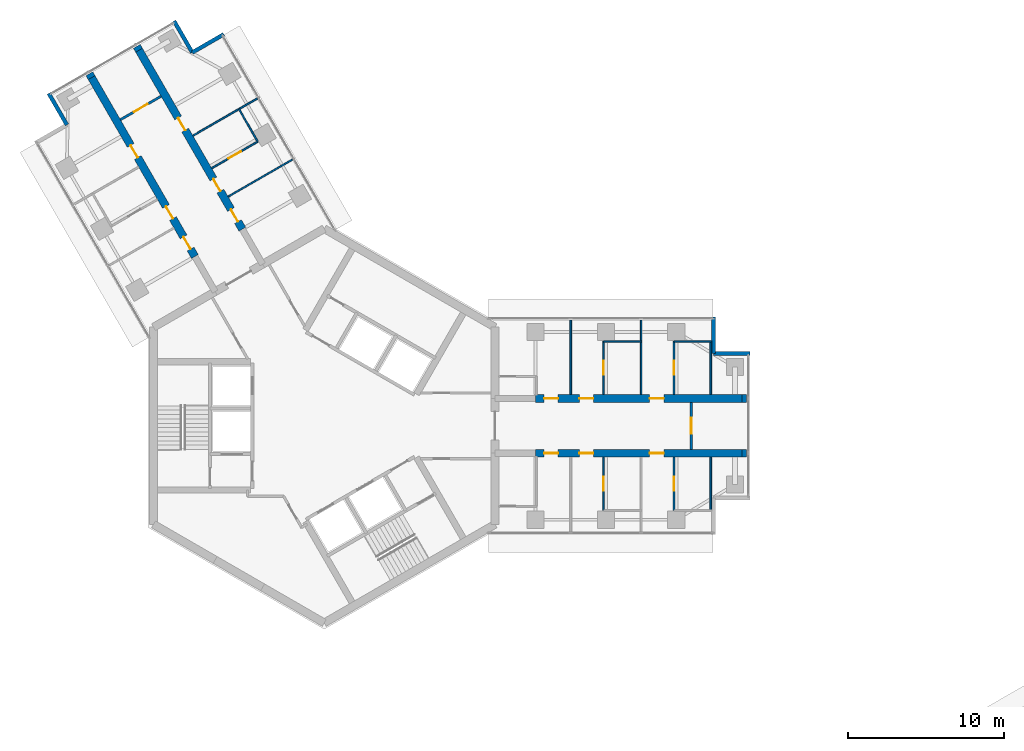
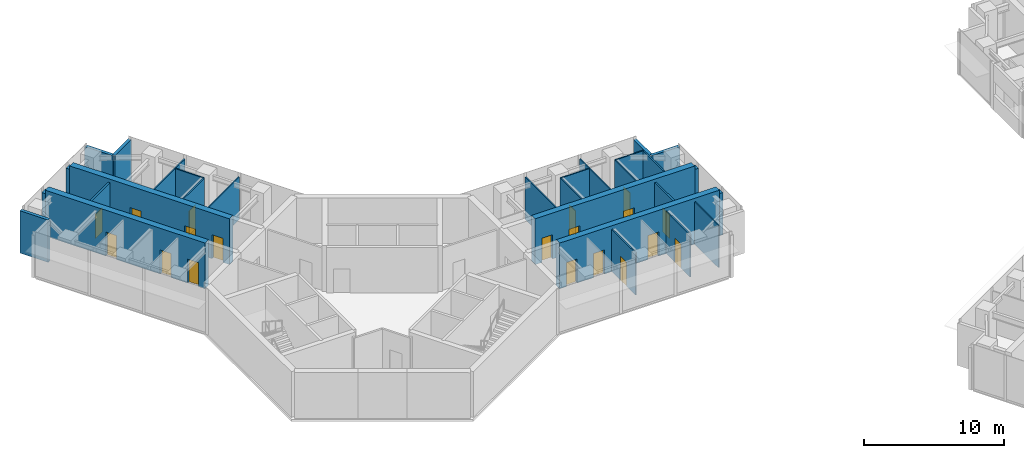
# One storey, part 13 of 17: 29 walls, 19 doors, 19 openings.
"""IFC4 building model written with IfcOpenShell, lengths in metres."""

from ifc_helpers import new_model, si_unit, direction, frame, frame_2d, origin, place, context, subcontext, project, spatial, rectangle, extrude, material, layer, layer_set, type_object, element, fill, save


model = new_model("IFC4")

# Units and contexts
model_context = context("Model", 3, precision=1e-05, world=origin(), true_north=direction((0.0, 1.0)))
body_context = subcontext(model_context, "Body", "Model", "MODEL_VIEW")
ifc_project = project(units=[si_unit("LENGTHUNIT", "METRE"), si_unit("AREAUNIT", "SQUARE_METRE"), si_unit("VOLUMEUNIT", "CUBIC_METRE"), si_unit("PLANEANGLEUNIT", "RADIAN"), si_unit("MASSUNIT", "GRAM", prefix="KILO")], contexts=[model_context])

# Site, building, storey
site_placement = place(None, origin())
site = spatial("IfcSite", under=ifc_project, at=site_placement, CompositionType="ELEMENT")
building_placement = place(site_placement, origin())
building = spatial("IfcBuilding", under=site, at=building_placement, Name="Upepo Twin Towers", CompositionType="ELEMENT")
storey_placement = place(building_placement, frame((0.0, 0.0, 234.5)))
storey = spatial("IfcBuildingStorey", under=building, at=storey_placement, Name="L57", CompositionType="ELEMENT", Elevation=234.5)

# Walls
ifc_material_1 = material(Name="Dense concrete blockwork", Category="masonry")
ifc_layer_1 = layer(ifc_material_1, 0.5)
ifc_layer_set_1 = layer_set([ifc_layer_1], Name="Buttress closer 500, blockwork with fire-stopping to the curtain wall")
wall_type_1 = type_object("IfcWallType", Name="Buttress closer 500, blockwork with fire-stopping to the curtain wall", PredefinedType="PARTITIONING", material=ifc_layer_set_1)
for number, where, z_axis, x_axis, name in (
    (1, (26.699951171875, 1.75, 0.0), (0.0, 0.0, 1.0), (1.0, 0.0, 0.0), "T1 L57 wing A buttress closer L"),
    (2, (26.699951171875, -1.75, 0.0), (0.0, 0.0, 1.0), (1.0, 0.0, 0.0), "T1 L57 wing A buttress closer R"),
    (3, (-14.865478515625, 22.247802734375, 0.0), (0.0, 0.0, 1.0), (-0.500065409566, 0.86598763626, 0.0), "T1 L57 wing B buttress closer L"),
    (4, (-11.83447265625, 23.997802734375, 0.0), (0.0, 0.0, 1.0), (-0.500065409566, 0.86598763626, 0.0), "T1 L57 wing B buttress closer R"),
):
    element("IfcWall", number, at=place(storey_placement, frame(where, z_axis=z_axis, x_axis=x_axis)), inside=storey, type_object=wall_type_1, Name=name, PredefinedType="PARTITIONING", context=body_context, shape_type="SweptSolid", body=[
        extrude(rectangle(XDim=0.28759765625, YDim=0.5, at=frame_2d((0.143798828125, 0.0))), origin(), (0.0, 0.0, 1.0), 3.699951171875),
    ])

# Wall, openings, doors
ifc_material_2 = material(Name="Concrete C60/75", Category="concrete")
ifc_layer_2 = layer(ifc_material_2, 0.5)
ifc_layer_set_2 = layer_set([ifc_layer_2], Name="Concrete C60/75")
wall_type_2 = type_object("IfcWallType", Name="Buttress wall 500 RC", PredefinedType="SHEAR", material=ifc_layer_set_2)
wall_1_placement = place(storey_placement, frame((13.5, 1.75, 0.0), z_axis=(0.0, 0.0, 1.0), x_axis=(1.0, 0.0, 0.0)))
wall_1 = element("IfcWall", 5, at=wall_1_placement, inside=storey, type_object=wall_type_2, Name="T1 wing A buttress wall L part 2", PredefinedType="SHEAR", context=body_context, shape_type="SweptSolid", body=[
    extrude(rectangle(XDim=13.199951171875, YDim=0.5, at=frame_2d((6.60009765625, 0.0))), origin(), (0.0, 0.0, 1.0), 4.0),
])
opening_1_placement = place(wall_1_placement, frame((0.550048828125, 0.0, 0.0)))
opening_1 = element("IfcOpeningElement", 6, at=opening_1_placement, cuts=wall_1, Name="Opening D11", PredefinedType="OPENING", context=body_context, shape_type="SweptSolid", body=[
    extrude(rectangle(XDim=0.89990234375, YDim=2.10009765625, at=frame_2d((0.449951171875, 1.050048828125))), frame((0.0, 0.260009765625, 0.0), z_axis=(0.0, -1.0, 0.0), x_axis=(1.0, 0.0, 0.0)), (0.0, 0.0, 1.0), 0.52001953125),
])
opening_2_placement = place(wall_1_placement, frame((2.800048828125, 0.0, 0.0)))
opening_2 = element("IfcOpeningElement", 7, at=opening_2_placement, cuts=wall_1, Name="Opening D14", PredefinedType="OPENING", context=body_context, shape_type="SweptSolid", body=[
    extrude(rectangle(XDim=0.89990234375, YDim=2.10009765625, at=frame_2d((0.449951171875, 1.050048828125))), frame((0.0, 0.260009765625, 0.0), z_axis=(0.0, -1.0, 0.0), x_axis=(1.0, 0.0, 0.0)), (0.0, 0.0, 1.0), 0.52001953125),
])
opening_3_placement = place(wall_1_placement, frame((7.300048828125, 0.0, 0.0)))
opening_3 = element("IfcOpeningElement", 8, at=opening_3_placement, cuts=wall_1, Name="Opening D14", PredefinedType="OPENING", context=body_context, shape_type="SweptSolid", body=[
    extrude(rectangle(XDim=0.89990234375, YDim=2.10009765625, at=frame_2d((0.449951171875, 1.050048828125))), frame((0.0, 0.260009765625, 0.0), z_axis=(0.0, -1.0, 0.0), x_axis=(1.0, 0.0, 0.0)), (0.0, 0.0, 1.0), 0.52001953125),
])
ifc_material_3 = material(Name="Timber doorset", Category="wood")
door_type_1 = type_object("IfcDoorType", Name="Office door 900 FD30", OperationType="SINGLE_SWING_LEFT", PredefinedType="DOOR", material=ifc_material_3)
door_1_placement = place(opening_2_placement, origin())
door_1 = element("IfcDoor", 9, at=door_1_placement, inside=storey, type_object=door_type_1, Name="T1 L57 staff office door", OperationType="SINGLE_SWING_LEFT", OverallHeight=2.10009765625, OverallWidth=0.89990234375, PredefinedType="DOOR", context=body_context, shape_type="SweptSolid", body=[
    extrude(rectangle(XDim=0.89990234375, YDim=2.10009765625, at=frame_2d((0.449951171875, 1.050048828125))), frame((0.0, 0.02490234375, 0.0), z_axis=(0.0, -1.0, 0.0), x_axis=(1.0, 0.0, 0.0)), (0.0, 0.0, 1.0), 0.050048828125),
])
fill(opening_2, door_1)
door_2_placement = place(opening_3_placement, origin())
door_2 = element("IfcDoor", 10, at=door_2_placement, inside=storey, type_object=door_type_1, Name="T1 L57 postgraduate office door", OperationType="SINGLE_SWING_RIGHT", OverallHeight=2.10009765625, OverallWidth=0.89990234375, PredefinedType="DOOR", context=body_context, shape_type="SweptSolid", body=[
    extrude(rectangle(XDim=0.89990234375, YDim=2.10009765625, at=frame_2d((0.449951171875, 1.050048828125))), frame((0.0, 0.02490234375, 0.0), z_axis=(0.0, -1.0, 0.0), x_axis=(1.0, 0.0, 0.0)), (0.0, 0.0, 1.0), 0.050048828125),
])
fill(opening_3, door_2)
ifc_material_4 = material(Name="Timber doorset", Category="wood")
door_type_2 = type_object("IfcDoorType", Name="Toilet door 900", OperationType="SINGLE_SWING_LEFT", PredefinedType="DOOR", material=ifc_material_4)
door_3_placement = place(opening_1_placement, origin())
door_3 = element("IfcDoor", 11, at=door_3_placement, inside=storey, type_object=door_type_2, Name="T1 L57 toilets door", OperationType="SINGLE_SWING_LEFT", OverallHeight=2.10009765625, OverallWidth=0.89990234375, PredefinedType="DOOR", context=body_context, shape_type="SweptSolid", body=[
    extrude(rectangle(XDim=0.89990234375, YDim=2.10009765625, at=frame_2d((0.449951171875, 1.050048828125))), frame((0.0, 0.02490234375, 0.0), z_axis=(0.0, -1.0, 0.0), x_axis=(1.0, 0.0, 0.0)), (0.0, 0.0, 1.0), 0.050048828125),
])
fill(opening_1, door_3)

wall_2_placement = place(storey_placement, frame((13.5, -1.75, 0.0), z_axis=(0.0, 0.0, 1.0), x_axis=(1.0, 0.0, 0.0)))
wall_2 = element("IfcWall", 12, at=wall_2_placement, inside=storey, type_object=wall_type_2, Name="T1 wing A buttress wall R part 2", PredefinedType="SHEAR", context=body_context, shape_type="SweptSolid", body=[
    extrude(rectangle(XDim=13.199951171875, YDim=0.5, at=frame_2d((6.60009765625, 0.0))), origin(), (0.0, 0.0, 1.0), 4.0),
])
opening_4_placement = place(wall_2_placement, frame((0.550048828125, 0.0, 0.0)))
opening_4 = element("IfcOpeningElement", 13, at=opening_4_placement, cuts=wall_2, Name="Opening D11", PredefinedType="OPENING", context=body_context, shape_type="SweptSolid", body=[
    extrude(rectangle(XDim=0.89990234375, YDim=2.10009765625, at=frame_2d((0.449951171875, 1.050048828125))), frame((0.0, 0.260009765625, 0.0), z_axis=(0.0, -1.0, 0.0), x_axis=(1.0, 0.0, 0.0)), (0.0, 0.0, 1.0), 0.52001953125),
])
opening_5_placement = place(wall_2_placement, frame((2.800048828125, 0.0, 0.0)))
opening_5 = element("IfcOpeningElement", 14, at=opening_5_placement, cuts=wall_2, Name="Opening D14", PredefinedType="OPENING", context=body_context, shape_type="SweptSolid", body=[
    extrude(rectangle(XDim=0.89990234375, YDim=2.10009765625, at=frame_2d((0.449951171875, 1.050048828125))), frame((0.0, 0.260009765625, 0.0), z_axis=(0.0, -1.0, 0.0), x_axis=(1.0, 0.0, 0.0)), (0.0, 0.0, 1.0), 0.52001953125),
])
opening_6_placement = place(wall_2_placement, frame((7.300048828125, 0.0, 0.0)))
opening_6 = element("IfcOpeningElement", 15, at=opening_6_placement, cuts=wall_2, Name="Opening D14", PredefinedType="OPENING", context=body_context, shape_type="SweptSolid", body=[
    extrude(rectangle(XDim=0.89990234375, YDim=2.10009765625, at=frame_2d((0.449951171875, 1.050048828125))), frame((0.0, 0.260009765625, 0.0), z_axis=(0.0, -1.0, 0.0), x_axis=(1.0, 0.0, 0.0)), (0.0, 0.0, 1.0), 0.52001953125),
])
door_4_placement = place(opening_5_placement, origin())
door_4 = element("IfcDoor", 16, at=door_4_placement, inside=storey, type_object=door_type_1, Name="T1 L57 meeting room door", OperationType="SINGLE_SWING_LEFT", OverallHeight=2.10009765625, OverallWidth=0.89990234375, PredefinedType="DOOR", context=body_context, shape_type="SweptSolid", body=[
    extrude(rectangle(XDim=0.89990234375, YDim=2.10009765625, at=frame_2d((0.449951171875, 1.050048828125))), frame((0.0, 0.02490234375, 0.0), z_axis=(0.0, -1.0, 0.0), x_axis=(1.0, 0.0, 0.0)), (0.0, 0.0, 1.0), 0.050048828125),
])
fill(opening_5, door_4)
door_5_placement = place(opening_6_placement, origin())
door_5 = element("IfcDoor", 17, at=door_5_placement, inside=storey, type_object=door_type_1, Name="T1 L57 staff office door", OperationType="SINGLE_SWING_RIGHT", OverallHeight=2.10009765625, OverallWidth=0.89990234375, PredefinedType="DOOR", context=body_context, shape_type="SweptSolid", body=[
    extrude(rectangle(XDim=0.89990234375, YDim=2.10009765625, at=frame_2d((0.449951171875, 1.050048828125))), frame((0.0, 0.02490234375, 0.0), z_axis=(0.0, -1.0, 0.0), x_axis=(1.0, 0.0, 0.0)), (0.0, 0.0, 1.0), 0.050048828125),
])
fill(opening_6, door_5)
door_6_placement = place(opening_4_placement, origin())
door_6 = element("IfcDoor", 18, at=door_6_placement, inside=storey, type_object=door_type_2, Name="T1 L57 accessible wc door", OperationType="SINGLE_SWING_LEFT", OverallHeight=2.10009765625, OverallWidth=0.89990234375, PredefinedType="DOOR", context=body_context, shape_type="SweptSolid", body=[
    extrude(rectangle(XDim=0.89990234375, YDim=2.10009765625, at=frame_2d((0.449951171875, 1.050048828125))), frame((0.0, 0.02490234375, 0.0), z_axis=(0.0, -1.0, 0.0), x_axis=(1.0, 0.0, 0.0)), (0.0, 0.0, 1.0), 0.050048828125),
])
fill(opening_4, door_6)

wall_3_placement = place(storey_placement, frame((-8.265625, 10.81640625, 0.0), z_axis=(0.0, 0.0, 1.0), x_axis=(-0.499996231654, 0.866027579429, 0.0)))
wall_3 = element("IfcWall", 19, at=wall_3_placement, inside=storey, type_object=wall_type_2, Name="T1 wing B buttress wall L part 2", PredefinedType="SHEAR", context=body_context, shape_type="SweptSolid", body=[
    extrude(rectangle(XDim=13.19970703125, YDim=0.5, at=frame_2d((6.599853515625, 0.0))), origin(), (0.0, 0.0, 1.0), 4.0),
])
opening_7_placement = place(wall_3_placement, frame((0.550048828125, 0.0, 0.0)))
opening_7 = element("IfcOpeningElement", 20, at=opening_7_placement, cuts=wall_3, Name="Opening D14", PredefinedType="OPENING", context=body_context, shape_type="SweptSolid", body=[
    extrude(rectangle(XDim=0.89990234375, YDim=2.10009765625, at=frame_2d((0.449951171875, 1.050048828125))), frame((0.0, 0.260009765625, 0.0), z_axis=(0.0, -1.0, 0.0), x_axis=(1.0, 0.0, 0.0)), (0.0, 0.0, 1.0), 0.52001953125),
])
opening_8_placement = place(wall_3_placement, frame((2.800048828125, 0.0, 0.0)))
opening_8 = element("IfcOpeningElement", 21, at=opening_8_placement, cuts=wall_3, Name="Opening D14", PredefinedType="OPENING", context=body_context, shape_type="SweptSolid", body=[
    extrude(rectangle(XDim=0.89990234375, YDim=2.10009765625, at=frame_2d((0.449951171875, 1.050048828125))), frame((0.0, 0.260009765625, 0.0), z_axis=(0.0, -1.0, 0.0), x_axis=(1.0, 0.0, 0.0)), (0.0, 0.0, 1.0), 0.52001953125),
])
opening_9_placement = place(wall_3_placement, frame((7.300048828125, 0.0, 0.0)))
opening_9 = element("IfcOpeningElement", 22, at=opening_9_placement, cuts=wall_3, Name="Opening D14", PredefinedType="OPENING", context=body_context, shape_type="SweptSolid", body=[
    extrude(rectangle(XDim=0.89990234375, YDim=2.10009765625, at=frame_2d((0.449951171875, 1.050048828125))), frame((0.0, 0.260009765625, 0.0), z_axis=(0.0, -1.0, 0.0), x_axis=(1.0, 0.0, 0.0)), (0.0, 0.0, 1.0), 0.52001953125),
])
door_7_placement = place(opening_7_placement, origin())
door_7 = element("IfcDoor", 23, at=door_7_placement, inside=storey, type_object=door_type_1, Name="T1 L57 staff office door", OperationType="SINGLE_SWING_LEFT", OverallHeight=2.10009765625, OverallWidth=0.89990234375, PredefinedType="DOOR", context=body_context, shape_type="SweptSolid", body=[
    extrude(rectangle(XDim=0.89990234375, YDim=2.10009765625, at=frame_2d((0.449951171875, 1.050048828125))), frame((0.0, 0.02490234375, 0.0), z_axis=(0.0, -1.0, 0.0), x_axis=(1.0, 0.0, 0.0)), (0.0, 0.0, 1.0), 0.050048828125),
])
fill(opening_7, door_7)
door_8_placement = place(opening_8_placement, origin())
door_8 = element("IfcDoor", 24, at=door_8_placement, inside=storey, type_object=door_type_1, Name="T1 L57 postgraduate office door", OperationType="SINGLE_SWING_LEFT", OverallHeight=2.10009765625, OverallWidth=0.89990234375, PredefinedType="DOOR", context=body_context, shape_type="SweptSolid", body=[
    extrude(rectangle(XDim=0.89990234375, YDim=2.10009765625, at=frame_2d((0.449951171875, 1.050048828125))), frame((0.0, 0.02490234375, 0.0), z_axis=(0.0, -1.0, 0.0), x_axis=(1.0, 0.0, 0.0)), (0.0, 0.0, 1.0), 0.050048828125),
])
fill(opening_8, door_8)
door_9_placement = place(opening_9_placement, origin())
door_9 = element("IfcDoor", 25, at=door_9_placement, inside=storey, type_object=door_type_1, Name="T1 L57 meeting room door", OperationType="SINGLE_SWING_RIGHT", OverallHeight=2.10009765625, OverallWidth=0.89990234375, PredefinedType="DOOR", context=body_context, shape_type="SweptSolid", body=[
    extrude(rectangle(XDim=0.89990234375, YDim=2.10009765625, at=frame_2d((0.449951171875, 1.050048828125))), frame((0.0, 0.02490234375, 0.0), z_axis=(0.0, -1.0, 0.0), x_axis=(1.0, 0.0, 0.0)), (0.0, 0.0, 1.0), 0.050048828125),
])
fill(opening_9, door_9)

wall_4_placement = place(storey_placement, frame((-5.234375, 12.56640625, 0.0), z_axis=(0.0, 0.0, 1.0), x_axis=(-0.500010103361, 0.866019570528, 0.0)))
wall_4 = element("IfcWall", 26, at=wall_4_placement, inside=storey, type_object=wall_type_2, Name="T1 wing B buttress wall R part 2", PredefinedType="SHEAR", context=body_context, shape_type="SweptSolid", body=[
    extrude(rectangle(XDim=13.199951171875, YDim=0.5, at=frame_2d((6.60009765625, 0.0))), origin(), (0.0, 0.0, 1.0), 4.0),
])
opening_10_placement = place(wall_4_placement, frame((0.550048828125, 0.0, 0.0)))
opening_10 = element("IfcOpeningElement", 27, at=opening_10_placement, cuts=wall_4, Name="Opening D14", PredefinedType="OPENING", context=body_context, shape_type="SweptSolid", body=[
    extrude(rectangle(XDim=0.89990234375, YDim=2.10009765625, at=frame_2d((0.449951171875, 1.050048828125))), frame((0.0, 0.260009765625, 0.0), z_axis=(0.0, -1.0, 0.0), x_axis=(1.0, 0.0, 0.0)), (0.0, 0.0, 1.0), 0.52001953125),
])
opening_11_placement = place(wall_4_placement, frame((2.800048828125, 0.0, 0.0)))
opening_11 = element("IfcOpeningElement", 28, at=opening_11_placement, cuts=wall_4, Name="Opening D14", PredefinedType="OPENING", context=body_context, shape_type="SweptSolid", body=[
    extrude(rectangle(XDim=0.89990234375, YDim=2.10009765625, at=frame_2d((0.449951171875, 1.050048828125))), frame((0.0, 0.260009765625, 0.0), z_axis=(0.0, -1.0, 0.0), x_axis=(1.0, 0.0, 0.0)), (0.0, 0.0, 1.0), 0.52001953125),
])
opening_12_placement = place(wall_4_placement, frame((7.300048828125, 0.0, 0.0)))
opening_12 = element("IfcOpeningElement", 29, at=opening_12_placement, cuts=wall_4, Name="Opening D14", PredefinedType="OPENING", context=body_context, shape_type="SweptSolid", body=[
    extrude(rectangle(XDim=0.89990234375, YDim=2.10009765625, at=frame_2d((0.449951171875, 1.050048828125))), frame((0.0, 0.260009765625, 0.0), z_axis=(0.0, -1.0, 0.0), x_axis=(1.0, 0.0, 0.0)), (0.0, 0.0, 1.0), 0.52001953125),
])
door_10_placement = place(opening_10_placement, origin())
door_10 = element("IfcDoor", 30, at=door_10_placement, inside=storey, type_object=door_type_1, Name="T1 L57 staff office door", OperationType="SINGLE_SWING_LEFT", OverallHeight=2.10009765625, OverallWidth=0.89990234375, PredefinedType="DOOR", context=body_context, shape_type="SweptSolid", body=[
    extrude(rectangle(XDim=0.89990234375, YDim=2.10009765625, at=frame_2d((0.449951171875, 1.050048828125))), frame((0.0, 0.02490234375, 0.0), z_axis=(0.0, -1.0, 0.0), x_axis=(1.0, 0.0, 0.0)), (0.0, 0.0, 1.0), 0.050048828125),
])
fill(opening_10, door_10)
door_11_placement = place(opening_11_placement, origin())
door_11 = element("IfcDoor", 31, at=door_11_placement, inside=storey, type_object=door_type_1, Name="T1 L57 staff office door", OperationType="SINGLE_SWING_LEFT", OverallHeight=2.10009765625, OverallWidth=0.89990234375, PredefinedType="DOOR", context=body_context, shape_type="SweptSolid", body=[
    extrude(rectangle(XDim=0.89990234375, YDim=2.10009765625, at=frame_2d((0.449951171875, 1.050048828125))), frame((0.0, 0.02490234375, 0.0), z_axis=(0.0, -1.0, 0.0), x_axis=(1.0, 0.0, 0.0)), (0.0, 0.0, 1.0), 0.050048828125),
])
fill(opening_11, door_11)
door_12_placement = place(opening_12_placement, origin())
door_12 = element("IfcDoor", 32, at=door_12_placement, inside=storey, type_object=door_type_1, Name="T1 L57 postgraduate office door", OperationType="SINGLE_SWING_RIGHT", OverallHeight=2.10009765625, OverallWidth=0.89990234375, PredefinedType="DOOR", context=body_context, shape_type="SweptSolid", body=[
    extrude(rectangle(XDim=0.89990234375, YDim=2.10009765625, at=frame_2d((0.449951171875, 1.050048828125))), frame((0.0, 0.02490234375, 0.0), z_axis=(0.0, -1.0, 0.0), x_axis=(1.0, 0.0, 0.0)), (0.0, 0.0, 1.0), 0.050048828125),
])
fill(opening_12, door_12)

# Walls
ifc_material_5 = material(Name="Blockwork with anodised aluminium cladding", Category="masonry")
ifc_layer_3 = layer(ifc_material_5, 0.25)
ifc_layer_set_3 = layer_set([ifc_layer_3], Name="Notch cladding wall 250, pale metal")
wall_type_3 = type_object("IfcWallType", Name="Notch cladding wall 250, pale metal", PredefinedType="STANDARD", material=ifc_layer_set_3)
for number, where, z_axis, x_axis, name in (
    (33, (24.875, 6.949951171875, 0.0), (0.0, 0.0, 1.0), (0.0, -1.0, 0.0), "T1 L57 wing A notch wall L1"),
    (34, (24.875, 4.625, 0.0), (0.0, 0.0, 1.0), (1.0, 0.0, 0.0), "T1 L57 wing A notch wall L2"),
    (35, (-16.44287109375, 19.22998046875, 0.0), (0.0, 0.0, 1.0), (-0.500046648681, 0.865998469481, 0.0), "T1 L57 wing B notch wall L2"),
    (36, (-6.418701171875, 25.017333984375, 0.0), (0.0, 0.0, 1.0), (-0.866043940782, -0.499967891604, 0.0), "T1 L57 wing B notch wall R1"),
    (37, (-8.43212890625, 23.85498046875, 0.0), (0.0, 0.0, 1.0), (-0.500046648681, 0.865998469481, 0.0), "T1 L57 wing B notch wall R2"),
):
    element("IfcWall", number, at=place(storey_placement, frame(where, z_axis=z_axis, x_axis=x_axis)), inside=storey, type_object=wall_type_3, Name=name, PredefinedType="STANDARD", context=body_context, shape_type="SweptSolid", body=[
        extrude(rectangle(XDim=2.324951171875, YDim=0.25, at=frame_2d((1.16259765625, 0.0))), origin(), (0.0, 0.0, 1.0), 3.699951171875),
    ])
ifc_material_6 = material(Name="Gypsum board on steel studs", Category="steel")
ifc_layer_4 = layer(ifc_material_6, 0.10009765625)
ifc_layer_set_4 = layer_set([ifc_layer_4], Name="Office partition 100 stud")
wall_type_4 = type_object("IfcWallType", Name="Office partition 100 stud", PredefinedType="PARTITIONING", material=ifc_layer_set_4)
for number, where, z_axis, x_axis, name in (
    (38, (15.75, 2.0, 0.0), (0.0, 0.0, 1.0), (0.0, 1.0, 0.0), "T1 partition AL at 15.75"),
    (39, (20.25, 2.0, 0.0), (0.0, 0.0, 1.0), (0.0, 1.0, 0.0), "T1 partition AL at 20.25"),
):
    element("IfcWall", number, at=place(storey_placement, frame(where, z_axis=z_axis, x_axis=x_axis)), inside=storey, type_object=wall_type_4, Name=name, PredefinedType="PARTITIONING", context=body_context, shape_type="SweptSolid", body=[
        extrude(rectangle(XDim=4.75, YDim=0.10009765625, at=frame_2d((2.375, 0.0))), origin(), (0.0, 0.0, 1.0), 3.699951171875),
    ])
wall_5_placement = place(storey_placement, frame((17.85009765625, 5.39990234375, 0.0), z_axis=(0.0, 0.0, 1.0), x_axis=(1.0, 0.0, 0.0)))
element("IfcWall", 40, at=wall_5_placement, inside=storey, type_object=wall_type_4, Name="T1 inner room partition AL at 17.85", PredefinedType="PARTITIONING", context=body_context, shape_type="SweptSolid", body=[
    extrude(rectangle(XDim=2.39990234375, YDim=0.10009765625, at=frame_2d((1.199951171875, 0.0))), origin(), (0.0, 0.0, 1.0), 3.699951171875),
])

# Wall, opening, door
wall_6_placement = place(storey_placement, frame((17.85009765625, 2.0, 0.0), z_axis=(0.0, 0.0, 1.0), x_axis=(0.0, 1.0, 0.0)))
wall_6 = element("IfcWall", 41, at=wall_6_placement, inside=storey, type_object=wall_type_4, Name="T1 inner room partition AL end at 17.85", PredefinedType="PARTITIONING", context=body_context, shape_type="SweptSolid", body=[
    extrude(rectangle(XDim=3.39990234375, YDim=0.10009765625, at=frame_2d((1.699951171875, 0.0))), origin(), (0.0, 0.0, 1.0), 3.699951171875),
])
opening_13_placement = place(wall_6_placement, frame((1.25, 0.0, 0.0)))
opening_13 = element("IfcOpeningElement", 42, at=opening_13_placement, cuts=wall_6, Name="Opening D14", PredefinedType="OPENING", context=body_context, shape_type="SweptSolid", body=[
    extrude(rectangle(XDim=0.89990234375, YDim=2.10009765625, at=frame_2d((0.449951171875, 1.050048828125))), frame((0.0, 0.06005859375, 0.0), z_axis=(0.0, -1.0, 0.0), x_axis=(1.0, 0.0, 0.0)), (0.0, 0.0, 1.0), 0.1201171875),
])
door_13_placement = place(opening_13_placement, origin())
door_13 = element("IfcDoor", 43, at=door_13_placement, inside=storey, type_object=door_type_1, Name="T1 L57 inner room door", OperationType="SINGLE_SWING_LEFT", OverallHeight=2.10009765625, OverallWidth=0.89990234375, PredefinedType="DOOR", context=body_context, shape_type="SweptSolid", body=[
    extrude(rectangle(XDim=0.89990234375, YDim=2.10009765625, at=frame_2d((0.449951171875, 1.050048828125))), frame((0.0, 0.02490234375, 0.0), z_axis=(0.0, -1.0, 0.0), x_axis=(1.0, 0.0, 0.0)), (0.0, 0.0, 1.0), 0.050048828125),
])
fill(opening_13, door_13)

# Wall
wall_7_placement = place(storey_placement, frame((22.35009765625, 5.39990234375, 0.0), z_axis=(0.0, 0.0, 1.0), x_axis=(1.0, 0.0, 0.0)))
element("IfcWall", 44, at=wall_7_placement, inside=storey, type_object=wall_type_4, Name="T1 inner room partition AL at 22.35", PredefinedType="PARTITIONING", context=body_context, shape_type="SweptSolid", body=[
    extrude(rectangle(XDim=2.39990234375, YDim=0.10009765625, at=frame_2d((1.199951171875, 0.0))), origin(), (0.0, 0.0, 1.0), 3.699951171875),
])

# Wall, opening, door
wall_8_placement = place(storey_placement, frame((22.35009765625, 2.0, 0.0), z_axis=(0.0, 0.0, 1.0), x_axis=(0.0, 1.0, 0.0)))
wall_8 = element("IfcWall", 45, at=wall_8_placement, inside=storey, type_object=wall_type_4, Name="T1 inner room partition AL end at 22.35", PredefinedType="PARTITIONING", context=body_context, shape_type="SweptSolid", body=[
    extrude(rectangle(XDim=3.39990234375, YDim=0.10009765625, at=frame_2d((1.699951171875, 0.0))), origin(), (0.0, 0.0, 1.0), 3.699951171875),
])
opening_14_placement = place(wall_8_placement, frame((1.25, 0.0, 0.0)))
opening_14 = element("IfcOpeningElement", 46, at=opening_14_placement, cuts=wall_8, Name="Opening D14", PredefinedType="OPENING", context=body_context, shape_type="SweptSolid", body=[
    extrude(rectangle(XDim=0.89990234375, YDim=2.10009765625, at=frame_2d((0.449951171875, 1.050048828125))), frame((0.0, 0.06005859375, 0.0), z_axis=(0.0, -1.0, 0.0), x_axis=(1.0, 0.0, 0.0)), (0.0, 0.0, 1.0), 0.1201171875),
])
door_14_placement = place(opening_14_placement, origin())
door_14 = element("IfcDoor", 47, at=door_14_placement, inside=storey, type_object=door_type_1, Name="T1 L57 inner room door", OperationType="SINGLE_SWING_LEFT", OverallHeight=2.10009765625, OverallWidth=0.89990234375, PredefinedType="DOOR", context=body_context, shape_type="SweptSolid", body=[
    extrude(rectangle(XDim=0.89990234375, YDim=2.10009765625, at=frame_2d((0.449951171875, 1.050048828125))), frame((0.0, 0.02490234375, 0.0), z_axis=(0.0, -1.0, 0.0), x_axis=(1.0, 0.0, 0.0)), (0.0, 0.0, 1.0), 0.050048828125),
])
fill(opening_14, door_14)

# Wall
wall_9_placement = place(storey_placement, frame((24.699951171875, 2.0, 0.0), z_axis=(0.0, 0.0, 1.0), x_axis=(0.0, 1.0, 0.0)))
element("IfcWall", 48, at=wall_9_placement, inside=storey, type_object=wall_type_4, Name="T1 inner room partition AL end at 24.75", PredefinedType="PARTITIONING", context=body_context, shape_type="SweptSolid", body=[
    extrude(rectangle(XDim=3.39990234375, YDim=0.10009765625, at=frame_2d((1.699951171875, 0.0))), origin(), (0.0, 0.0, 1.0), 3.699951171875),
])

# Wall, opening, door
wall_10_placement = place(storey_placement, frame((17.85009765625, -2.0, 0.0), z_axis=(0.0, 0.0, 1.0), x_axis=(0.0, -1.0, 0.0)))
wall_10 = element("IfcWall", 49, at=wall_10_placement, inside=storey, type_object=wall_type_4, Name="T1 inner room partition AR end at 17.85", PredefinedType="PARTITIONING", context=body_context, shape_type="SweptSolid", body=[
    extrude(rectangle(XDim=3.39990234375, YDim=0.10009765625, at=frame_2d((1.699951171875, 0.0))), origin(), (0.0, 0.0, 1.0), 3.699951171875),
])
opening_15_placement = place(wall_10_placement, frame((1.25, 0.0, 0.0)))
opening_15 = element("IfcOpeningElement", 50, at=opening_15_placement, cuts=wall_10, Name="Opening D14", PredefinedType="OPENING", context=body_context, shape_type="SweptSolid", body=[
    extrude(rectangle(XDim=0.89990234375, YDim=2.10009765625, at=frame_2d((0.449951171875, 1.050048828125))), frame((0.0, 0.06005859375, 0.0), z_axis=(0.0, -1.0, 0.0), x_axis=(1.0, 0.0, 0.0)), (0.0, 0.0, 1.0), 0.1201171875),
])
door_15_placement = place(opening_15_placement, origin())
door_15 = element("IfcDoor", 51, at=door_15_placement, inside=storey, type_object=door_type_1, Name="T1 L57 inner room door", OperationType="SINGLE_SWING_LEFT", OverallHeight=2.10009765625, OverallWidth=0.89990234375, PredefinedType="DOOR", context=body_context, shape_type="SweptSolid", body=[
    extrude(rectangle(XDim=0.89990234375, YDim=2.10009765625, at=frame_2d((0.449951171875, 1.050048828125))), frame((0.0, 0.02490234375, 0.0), z_axis=(0.0, -1.0, 0.0), x_axis=(1.0, 0.0, 0.0)), (0.0, 0.0, 1.0), 0.050048828125),
])
fill(opening_15, door_15)

wall_11_placement = place(storey_placement, frame((22.35009765625, -2.0, 0.0), z_axis=(0.0, 0.0, 1.0), x_axis=(0.0, -1.0, 0.0)))
wall_11 = element("IfcWall", 52, at=wall_11_placement, inside=storey, type_object=wall_type_4, Name="T1 inner room partition AR end at 22.35", PredefinedType="PARTITIONING", context=body_context, shape_type="SweptSolid", body=[
    extrude(rectangle(XDim=3.39990234375, YDim=0.10009765625, at=frame_2d((1.699951171875, 0.0))), origin(), (0.0, 0.0, 1.0), 3.699951171875),
])
opening_16_placement = place(wall_11_placement, frame((1.25, 0.0, 0.0)))
opening_16 = element("IfcOpeningElement", 53, at=opening_16_placement, cuts=wall_11, Name="Opening D14", PredefinedType="OPENING", context=body_context, shape_type="SweptSolid", body=[
    extrude(rectangle(XDim=0.89990234375, YDim=2.10009765625, at=frame_2d((0.449951171875, 1.050048828125))), frame((0.0, 0.06005859375, 0.0), z_axis=(0.0, -1.0, 0.0), x_axis=(1.0, 0.0, 0.0)), (0.0, 0.0, 1.0), 0.1201171875),
])
door_16_placement = place(opening_16_placement, origin())
door_16 = element("IfcDoor", 54, at=door_16_placement, inside=storey, type_object=door_type_1, Name="T1 L57 inner room door", OperationType="SINGLE_SWING_LEFT", OverallHeight=2.10009765625, OverallWidth=0.89990234375, PredefinedType="DOOR", context=body_context, shape_type="SweptSolid", body=[
    extrude(rectangle(XDim=0.89990234375, YDim=2.10009765625, at=frame_2d((0.449951171875, 1.050048828125))), frame((0.0, 0.02490234375, 0.0), z_axis=(0.0, -1.0, 0.0), x_axis=(1.0, 0.0, 0.0)), (0.0, 0.0, 1.0), 0.050048828125),
])
fill(opening_16, door_16)

# Walls
wall_12_placement = place(storey_placement, frame((24.699951171875, -2.0, 0.0), z_axis=(0.0, 0.0, 1.0), x_axis=(0.0, -1.0, 0.0)))
element("IfcWall", 55, at=wall_12_placement, inside=storey, type_object=wall_type_4, Name="T1 inner room partition AR end at 24.75", PredefinedType="PARTITIONING", context=body_context, shape_type="SweptSolid", body=[
    extrude(rectangle(XDim=3.39990234375, YDim=0.10009765625, at=frame_2d((1.699951171875, 0.0))), origin(), (0.0, 0.0, 1.0), 3.699951171875),
])
for number, where, z_axis, x_axis, name in (
    (56, (-6.14306640625, 14.639892578125, 0.0), (0.0, 0.0, 1.0), (0.866033238375, 0.499986429846, 0.0), "T1 partition BR at 15.75"),
    (57, (-8.39306640625, 18.537109375, 0.0), (0.0, 0.0, 1.0), (0.866033238375, 0.499986429846, 0.0), "T1 partition BR at 20.25"),
):
    element("IfcWall", number, at=place(storey_placement, frame(where, z_axis=z_axis, x_axis=x_axis)), inside=storey, type_object=wall_type_4, Name=name, PredefinedType="PARTITIONING", context=body_context, shape_type="SweptSolid", body=[
        extrude(rectangle(XDim=4.750244140625, YDim=0.10009765625, at=frame_2d((2.375, 0.0))), origin(), (0.0, 0.0, 1.0), 3.699951171875),
    ])
wall_13_placement = place(storey_placement, frame((-4.24853515625, 18.158447265625, 0.0), z_axis=(0.0, 0.0, 1.0), x_axis=(-0.499957262057, 0.866050077142, 0.0)))
element("IfcWall", 58, at=wall_13_placement, inside=storey, type_object=wall_type_4, Name="T1 inner room partition BR at 17.85", PredefinedType="PARTITIONING", context=body_context, shape_type="SweptSolid", body=[
    extrude(rectangle(XDim=2.400146484375, YDim=0.10009765625, at=frame_2d((1.2001953125, 0.0))), origin(), (0.0, 0.0, 1.0), 3.699951171875),
])

# Wall, opening, door
wall_14_placement = place(storey_placement, frame((-7.19287109375, 16.45849609375, 0.0), z_axis=(0.0, 0.0, 1.0), x_axis=(0.866020560687, 0.500008388397, 0.0)))
wall_14 = element("IfcWall", 59, at=wall_14_placement, inside=storey, type_object=wall_type_4, Name="T1 inner room partition BR end at 17.85", PredefinedType="PARTITIONING", context=body_context, shape_type="SweptSolid", body=[
    extrude(rectangle(XDim=3.39990234375, YDim=0.10009765625, at=frame_2d((1.699951171875, 0.0))), origin(), (0.0, 0.0, 1.0), 3.699951171875),
])
opening_17_placement = place(wall_14_placement, frame((1.25, 0.0, 0.0)))
opening_17 = element("IfcOpeningElement", 60, at=opening_17_placement, cuts=wall_14, Name="Opening D14", PredefinedType="OPENING", context=body_context, shape_type="SweptSolid", body=[
    extrude(rectangle(XDim=0.89990234375, YDim=2.10009765625, at=frame_2d((0.449951171875, 1.050048828125))), frame((0.0, 0.06005859375, 0.0), z_axis=(0.0, -1.0, 0.0), x_axis=(1.0, 0.0, 0.0)), (0.0, 0.0, 1.0), 0.1201171875),
])
door_17_placement = place(opening_17_placement, origin())
door_17 = element("IfcDoor", 61, at=door_17_placement, inside=storey, type_object=door_type_1, Name="T1 L57 inner room door", OperationType="SINGLE_SWING_LEFT", OverallHeight=2.10009765625, OverallWidth=0.89990234375, PredefinedType="DOOR", context=body_context, shape_type="SweptSolid", body=[
    extrude(rectangle(XDim=0.89990234375, YDim=2.10009765625, at=frame_2d((0.449951171875, 1.050048828125))), frame((0.0, 0.02490234375, 0.0), z_axis=(0.0, -1.0, 0.0), x_axis=(1.0, 0.0, 0.0)), (0.0, 0.0, 1.0), 0.050048828125),
])
fill(opening_17, door_17)

ifc_material_7 = material(Name="Gypsum board on steel studs", Category="steel")
ifc_layer_5 = layer(ifc_material_7, 0.14990234375)
ifc_layer_set_5 = layer_set([ifc_layer_5], Name="Teaching partition 150 acoustic")
wall_type_5 = type_object("IfcWallType", Name="Teaching partition 150 acoustic", PredefinedType="PARTITIONING", material=ifc_layer_set_5)
wall_15_placement = place(storey_placement, frame((23.449951171875, -1.5, 0.0), z_axis=(0.0, 0.0, 1.0), x_axis=(0.0, 1.0, 0.0)))
wall_15 = element("IfcWall", 62, at=wall_15_placement, inside=storey, type_object=wall_type_5, Name="T1 corridor end partition A at 23.45", PredefinedType="PARTITIONING", context=body_context, shape_type="SweptSolid", body=[
    extrude(rectangle(XDim=3.0, YDim=0.14990234375, at=frame_2d((1.5, 0.0))), origin(), (0.0, 0.0, 1.0), 3.699951171875),
])
opening_18_placement = place(wall_15_placement, frame((1.0, 0.0, 0.0)))
opening_18 = element("IfcOpeningElement", 63, at=opening_18_placement, cuts=wall_15, Name="Opening D1", PredefinedType="OPENING", context=body_context, shape_type="SweptSolid", body=[
    extrude(rectangle(XDim=1.0, YDim=2.10009765625, at=frame_2d((0.5, 1.050048828125))), frame((0.0, 0.0849609375, 0.0), z_axis=(0.0, -1.0, 0.0), x_axis=(1.0, 0.0, 0.0)), (0.0, 0.0, 1.0), 0.169921875),
])
ifc_material_8 = material(Name="Timber doorset", Category="wood")
door_type_3 = type_object("IfcDoorType", Name="Room door 1000 FD30", OperationType="SINGLE_SWING_LEFT", PredefinedType="DOOR", material=ifc_material_8)
door_18_placement = place(opening_18_placement, origin())
door_18 = element("IfcDoor", 64, at=door_18_placement, inside=storey, type_object=door_type_3, Name="T1 L57 breakout study room door", OperationType="SINGLE_SWING_LEFT", OverallHeight=2.10009765625, OverallWidth=1.0, PredefinedType="DOOR", context=body_context, shape_type="SweptSolid", body=[
    extrude(rectangle(XDim=1.0, YDim=2.10009765625, at=frame_2d((0.5, 1.050048828125))), frame((0.0, 0.02490234375, 0.0), z_axis=(0.0, -1.0, 0.0), x_axis=(1.0, 0.0, 0.0)), (0.0, 0.0, 1.0), 0.050048828125),
])
fill(opening_18, door_18)

wall_16_placement = place(storey_placement, frame((-10.426025390625, 21.058349609375, 0.0), z_axis=(0.0, 0.0, 1.0), x_axis=(-0.866010750942, -0.50002537861, 0.0)))
wall_16 = element("IfcWall", 65, at=wall_16_placement, inside=storey, type_object=wall_type_5, Name="T1 corridor end partition B at 23.45", PredefinedType="PARTITIONING", context=body_context, shape_type="SweptSolid", body=[
    extrude(rectangle(XDim=2.999755859375, YDim=0.14990234375, at=frame_2d((1.5, 0.0))), origin(), (0.0, 0.0, 1.0), 3.699951171875),
])
opening_19_placement = place(wall_16_placement, frame((1.0, 0.0, 0.0)))
opening_19 = element("IfcOpeningElement", 66, at=opening_19_placement, cuts=wall_16, Name="Opening D1", PredefinedType="OPENING", context=body_context, shape_type="SweptSolid", body=[
    extrude(rectangle(XDim=1.0, YDim=2.10009765625, at=frame_2d((0.5, 1.050048828125))), frame((0.0, 0.0849609375, 0.0), z_axis=(0.0, -1.0, 0.0), x_axis=(1.0, 0.0, 0.0)), (0.0, 0.0, 1.0), 0.169921875),
])
door_19_placement = place(opening_19_placement, origin())
door_19 = element("IfcDoor", 67, at=door_19_placement, inside=storey, type_object=door_type_3, Name="T1 L57 breakout study room door", OperationType="SINGLE_SWING_RIGHT", OverallHeight=2.10009765625, OverallWidth=1.0, PredefinedType="DOOR", context=body_context, shape_type="SweptSolid", body=[
    extrude(rectangle(XDim=1.0, YDim=2.10009765625, at=frame_2d((0.5, 1.050048828125))), frame((0.0, 0.02490234375, 0.0), z_axis=(0.0, -1.0, 0.0), x_axis=(1.0, 0.0, 0.0)), (0.0, 0.0, 1.0), 0.050048828125),
])
fill(opening_19, door_19)

save(model, "model.ifc")
